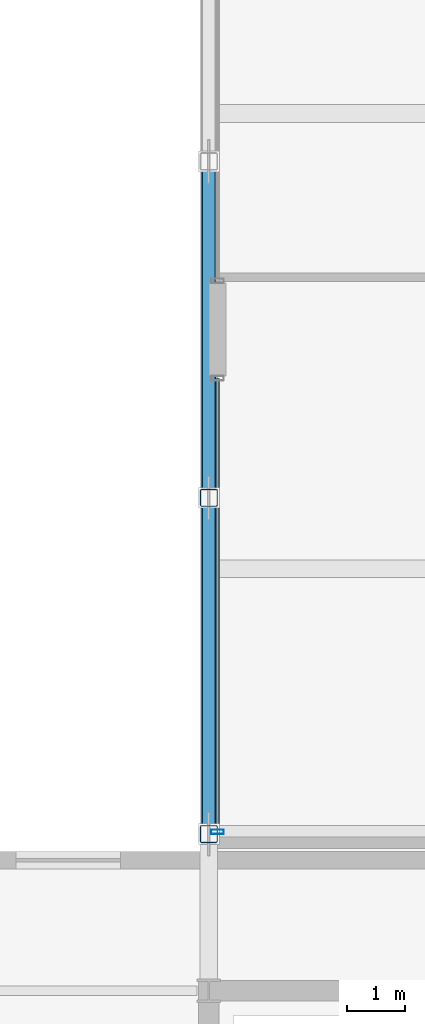
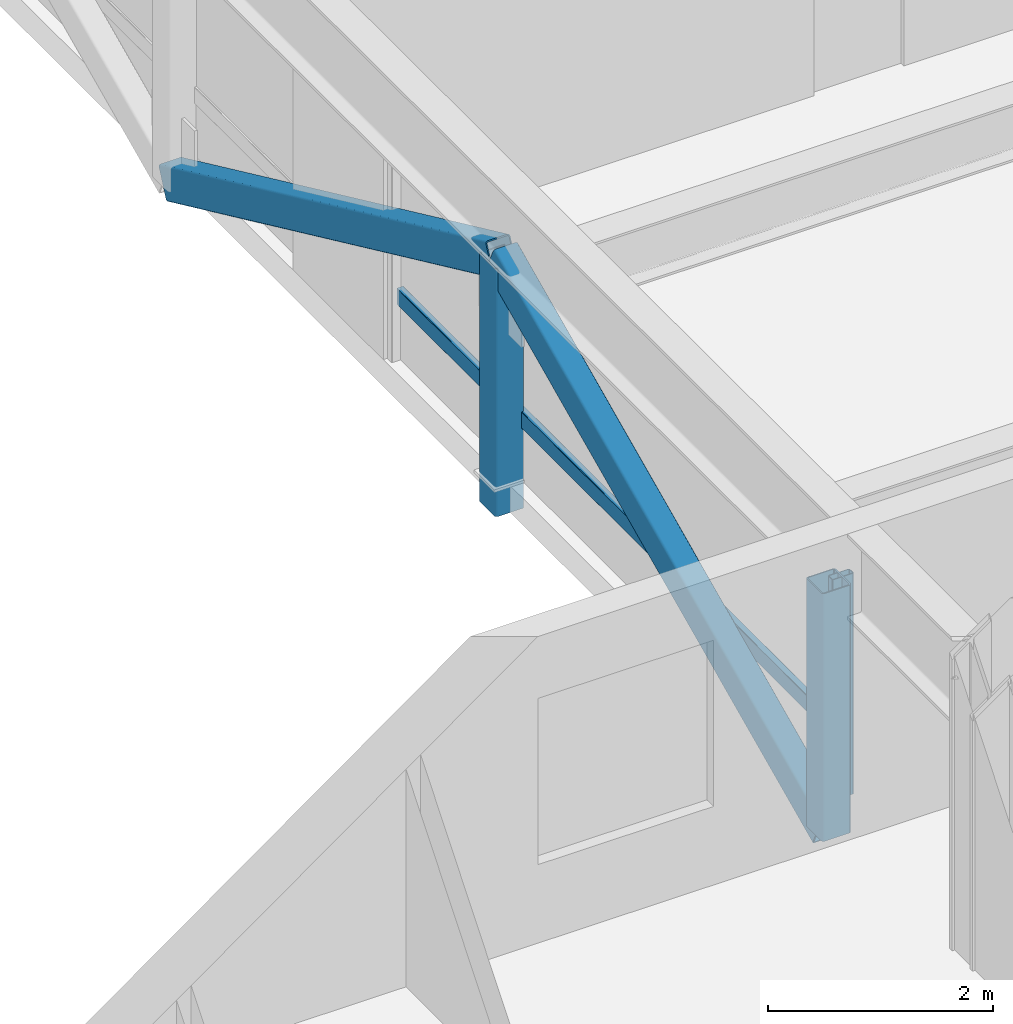
# One storey, part 4 of 28: 6 members, 1 element without a shape of its own.
"""IFC4 building model written with IfcOpenShell, lengths in metres."""

from ifc_helpers import new_model, si_unit, direction, frame, origin, origin_2d, place, context, subcontext, project, spatial, hollow_rectangle, extrude, material, layer, layer_set, material_profile, profile_set, type_object, element, aggregate, save


model = new_model("IFC4")

# Units and contexts
model_context = context("Model", 3, precision=1e-05, world=origin(), true_north=direction((0.0, 1.0)))
body_context = subcontext(model_context, "Body", "Model", "MODEL_VIEW")
ifc_project = project(units=[si_unit("LENGTHUNIT", "METRE"), si_unit("AREAUNIT", "SQUARE_METRE"), si_unit("VOLUMEUNIT", "CUBIC_METRE"), si_unit("PLANEANGLEUNIT", "RADIAN"), si_unit("MASSUNIT", "GRAM", prefix="KILO")], contexts=[model_context])

# Site, building, storey
site_placement = place(None, origin())
site = spatial("IfcSite", under=ifc_project, at=site_placement, CompositionType="ELEMENT")
building_placement = place(site_placement, origin())
building = spatial("IfcBuilding", under=site, at=building_placement, Name="Korimba Cascade Residences", CompositionType="ELEMENT")
storey_placement = place(building_placement, frame((0.0, 0.0, 153.699951171875)))
storey = spatial("IfcBuildingStorey", under=building, at=storey_placement, Name="L44", CompositionType="ELEMENT", Elevation=153.699951171875)

# Curtain wall, members
ifc_material_1 = material(Name="Anodised Aluminium Curtain Wall Framing", Category="aluminium")
ifc_layer = layer(ifc_material_1, 0.179931640625)
ifc_layer_set = layer_set([ifc_layer], Name="Anodised Aluminium Curtain Wall Framing")
curtain_wall_type = type_object("IfcCurtainWallType", Name="CW-OBS-SYS4", PredefinedType="NOTDEFINED", material=ifc_layer_set)
curtain_wall_placement = place(storey_placement, origin())
curtain_wall = element("IfcCurtainWall", 1, at=curtain_wall_placement, inside=storey, type_object=curtain_wall_type, Name="L44 Curtain Wall CW-L44-BRG-W1", PredefinedType="NOTDEFINED")
ifc_material_2 = material(Name="Anodised Aluminium Mullion", Category="aluminium")
ifc_material_profile_1 = material_profile(ifc_material_2, hollow_rectangle(XDim=0.080078125, YDim=0.219970703125, WallThickness=0.00634765625, InnerFilletRadius=0.00634765625, OuterFilletRadius=0.0126953125, at=origin_2d()), Name="Anodised Aluminium Mullion")
ifc_profile_set_1 = profile_set([ifc_material_profile_1], Name="Anodised Aluminium Mullion")
member_type_1 = type_object("IfcMemberType", Name="CWM-MUL-220", PredefinedType="MULLION", material=ifc_profile_set_1)
member_1_placement = place(storey_placement, frame((82.25, 33.139892578125, 0.0), z_axis=(0.0, 0.0, 1.0), x_axis=(0.0, 1.0, 0.0)))
member_1 = element("IfcMember", 2, at=member_1_placement, type_object=member_type_1, Name="CW-L44-BRG-W1 Mullion 1", PredefinedType="MULLION", context=body_context, shape_type="SweptSolid", body=[
    extrude(hollow_rectangle(XDim=0.080078125, YDim=0.219970703125, WallThickness=0.00634765625, InnerFilletRadius=0.00634765625, OuterFilletRadius=0.0126953125, at=origin_2d()), origin(), (0.0, 0.0, 1.0), 2.39013671875),
])
ifc_material_3 = material(Name="Anodised Aluminium Transom", Category="aluminium")
ifc_material_profile_2 = material_profile(ifc_material_3, hollow_rectangle(XDim=0.070068359375, YDim=0.179931640625, WallThickness=0.0048828125, InnerFilletRadius=0.0048828125, OuterFilletRadius=0.010009765625, at=origin_2d()), Name="Anodised Aluminium Transom")
ifc_profile_set_2 = profile_set([ifc_material_profile_2], Name="Anodised Aluminium Transom")
member_type_2 = type_object("IfcMemberType", Name="CWM-TRN-150", PredefinedType="USERDEFINED", material=ifc_profile_set_2)
member_2_placement = place(storey_placement, frame((82.25, 33.139892578125, 0.669189453125), z_axis=(0.0, 1.0, 0.0), x_axis=(-1.0, 0.0, 0.0)))
member_2 = element("IfcMember", 3, at=member_2_placement, type_object=member_type_2, Name="CW-L44-BRG-W1 Transom 1", ObjectType="TRANSOM", PredefinedType="USERDEFINED", context=body_context, shape_type="SweptSolid", body=[
    extrude(hollow_rectangle(XDim=0.070068359375, YDim=0.179931640625, WallThickness=0.0048828125, InnerFilletRadius=0.0048828125, OuterFilletRadius=0.010009765625, at=origin_2d()), origin(), (0.0, 0.0, 1.0), 7.820068359375),
])
aggregate(curtain_wall, [member_1, member_2])

# Members
ifc_material_4 = material(Name="Steel S460", Category="steel")
ifc_material_profile_3 = material_profile(ifc_material_4, hollow_rectangle(XDim=0.25, YDim=0.35009765625, WallThickness=0.012451171875, InnerFilletRadius=0.012451171875, OuterFilletRadius=0.02490234375, at=origin_2d()), Name="Steel S460")
ifc_profile_set_3 = profile_set([ifc_material_profile_3], Name="Steel S460")
member_type_3 = type_object("IfcMemberType", Name="MEM-BRG-SHS350", PredefinedType="BRACE", material=ifc_profile_set_3)
member_3_placement = place(storey_placement, frame((82.10009765625, 33.10009765625, -0.2900390625), z_axis=(0.0, 0.907556433805, 0.419930136403), x_axis=(-1.0, 0.0, 0.0)))
element("IfcMember", 4, at=member_3_placement, inside=storey, type_object=member_type_3, Name="L44 Mid-Bridge Warren Diagonal W1", PredefinedType="BRACE", context=body_context, shape_type="SweptSolid", body=[
    extrude(hollow_rectangle(XDim=0.25, YDim=0.35009765625, WallThickness=0.012451171875, InnerFilletRadius=0.012451171875, OuterFilletRadius=0.02490234375, at=origin_2d()), origin(), (0.0, 0.0, 1.0), 6.390625),
])
member_4_placement = place(storey_placement, frame((82.10009765625, 38.89990234375, 2.3935546875), z_axis=(0.0, 0.907563170266, -0.419915577201), x_axis=(-1.0, 0.0, 0.0)))
element("IfcMember", 5, at=member_4_placement, inside=storey, type_object=member_type_3, Name="L44 Mid-Bridge Warren Diagonal W2", PredefinedType="BRACE", context=body_context, shape_type="SweptSolid", body=[
    extrude(hollow_rectangle(XDim=0.25, YDim=0.35009765625, WallThickness=0.012451171875, InnerFilletRadius=0.012451171875, OuterFilletRadius=0.02490234375, at=origin_2d()), origin(), (0.0, 0.0, 1.0), 6.390869140625),
])
ifc_material_profile_4 = material_profile(ifc_material_4, hollow_rectangle(XDim=0.300048828125, YDim=0.300048828125, WallThickness=0.012451171875, InnerFilletRadius=0.012451171875, OuterFilletRadius=0.02490234375, at=origin_2d()), Name="Steel S460")
ifc_profile_set_4 = profile_set([ifc_material_profile_4], Name="Steel S460")
member_type_4 = type_object("IfcMemberType", Name="MEM-BRG-STR300", PredefinedType="STRUT", material=ifc_profile_set_4)
for number, where, z_axis, x_axis, name in (
    (6, (82.10009765625, 33.10009765625, -0.2900390625), (0.0, 0.0, 1.0), (1.0, 0.0, 0.0), "L44 Mid-Bridge Warren Web Post W1"),
    (7, (82.10009765625, 38.89990234375, -0.2900390625), (0.0, 0.0, 1.0), (1.0, 0.0, 0.0), "L44 Mid-Bridge Warren Web Post W2"),
):
    element("IfcMember", number, at=place(storey_placement, frame(where, z_axis=z_axis, x_axis=x_axis)), inside=storey, type_object=member_type_4, Name=name, PredefinedType="STRUT", context=body_context, shape_type="SweptSolid", body=[
        extrude(hollow_rectangle(XDim=0.300048828125, YDim=0.300048828125, WallThickness=0.012451171875, InnerFilletRadius=0.012451171875, OuterFilletRadius=0.02490234375, at=origin_2d()), origin(), (0.0, 0.0, 1.0), 2.68359375),
    ])

save(model, "model.ifc")
